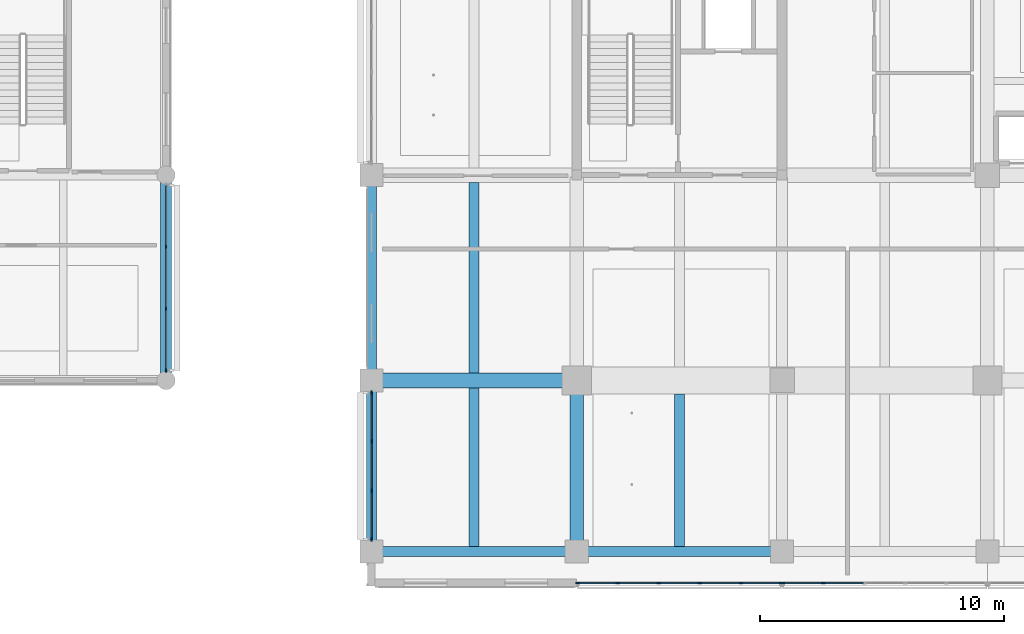
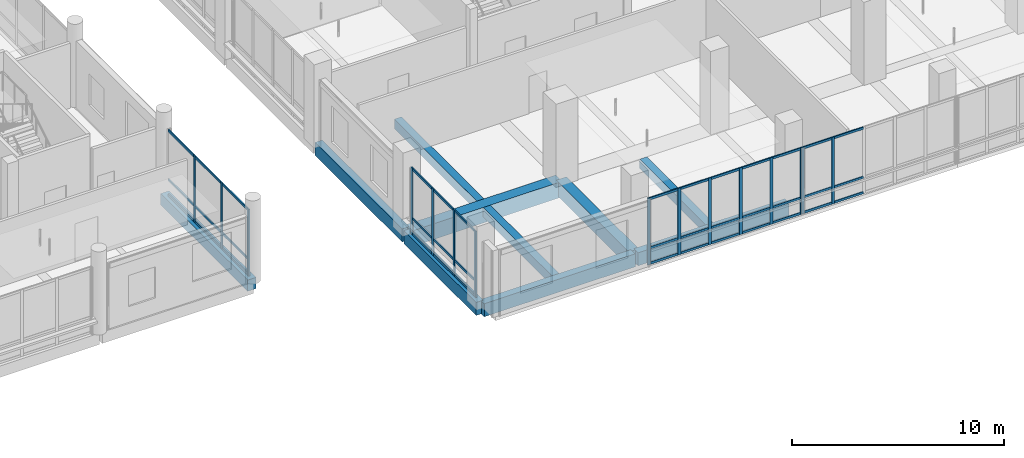
# One storey, part 6 of 122: 54 members, 10 beams, 4 elements without a shape of their own.
"""IFC4 building model written with IfcOpenShell, lengths in metres."""

from ifc_helpers import new_model, si_unit, direction, frame, origin, origin_2d, place, context, subcontext, project, spatial, rectangle, extrude, material, layer, layer_set, material_profile, profile_set, type_object, element, aggregate, save


model = new_model("IFC4")

# Units and contexts
model_context = context("Model", 3, precision=1e-05, world=origin(), true_north=direction((0.0, 1.0)))
body_context = subcontext(model_context, "Body", "Model", "MODEL_VIEW")
ifc_project = project(units=[si_unit("LENGTHUNIT", "METRE"), si_unit("AREAUNIT", "SQUARE_METRE"), si_unit("VOLUMEUNIT", "CUBIC_METRE"), si_unit("PLANEANGLEUNIT", "RADIAN"), si_unit("MASSUNIT", "GRAM", prefix="KILO")], contexts=[model_context])

# Site, building, storey
site_placement = place(None, origin())
site = spatial("IfcSite", under=ifc_project, at=site_placement, CompositionType="ELEMENT")
building_placement = place(site_placement, origin())
building = spatial("IfcBuilding", under=site, at=building_placement, Name="Telukmera Botanical Conservatory", CompositionType="ELEMENT")
storey_placement = place(building_placement, frame((0.0, 0.0, 10.199951171875)))
storey = spatial("IfcBuildingStorey", under=building, at=storey_placement, Name="L02", CompositionType="ELEMENT", Elevation=10.199951171875)

# Beams
ifc_material_1 = material(Name="Concrete C40/50", Category="concrete")
ifc_material_profile_1 = material_profile(ifc_material_1, rectangle(XDim=0.449951171875, YDim=0.64990234375, at=origin_2d()), Name="RC 450x650")
ifc_profile_set_1 = profile_set([ifc_material_profile_1], Name="Concrete C40/50")
beam_type_1 = type_object("IfcBeamType", Name="Beam_B16", PredefinedType="BEAM", material=ifc_profile_set_1)
beam_1_placement = place(storey_placement, frame((42.0, 17.679931640625, -0.324951171875), z_axis=(0.0, 1.0, 0.0), x_axis=(-1.0, 0.0, 0.0)))
element("IfcBeam", 1, at=beam_1_placement, inside=storey, type_object=beam_type_1, Name="Visitor Wing Transverse Beam L02", PredefinedType="BEAM", context=body_context, shape_type="SweptSolid", body=[
    extrude(rectangle(XDim=0.449951171875, YDim=0.64990234375, at=origin_2d()), origin(), (0.0, 0.0, 1.0), 8.239990234375),
])
ifc_material_profile_2 = material_profile(ifc_material_1, rectangle(XDim=0.39990234375, YDim=0.550048828125, at=origin_2d()), Name="RC 400x550")
ifc_profile_set_2 = profile_set([ifc_material_profile_2], Name="Concrete C40/50")
beam_type_2 = type_object("IfcBeamType", Name="Beam_B19", PredefinedType="JOIST", material=ifc_profile_set_2)
beam_2_placement = place(storey_placement, frame((54.60009765625, 10.800048828125, -0.27490234375), z_axis=(0.0, 1.0, 0.0), x_axis=(-1.0, 0.0, 0.0)))
element("IfcBeam", 2, at=beam_2_placement, inside=storey, type_object=beam_type_2, Name="Tower Secondary Floor Joist L02", PredefinedType="JOIST", context=body_context, shape_type="SweptSolid", body=[
    extrude(rectangle(XDim=0.39990234375, YDim=0.550048828125, at=origin_2d()), origin(), (0.0, 0.0, 1.0), 6.5),
])
beam_3_placement = place(storey_placement, frame((54.60009765625, 17.89990234375, -0.27490234375), z_axis=(0.0, 1.0, 0.0), x_axis=(-1.0, 0.0, 0.0)))
element("IfcBeam", 3, at=beam_3_placement, inside=storey, type_object=beam_type_2, Name="Tower Secondary Floor Joist L02", PredefinedType="JOIST", context=body_context, shape_type="SweptSolid", body=[
    extrude(rectangle(XDim=0.39990234375, YDim=0.550048828125, at=origin_2d()), origin(), (0.0, 0.0, 1.0), 7.800048828125),
])
beam_4_placement = place(storey_placement, frame((63.0, 10.800048828125, -0.27490234375), z_axis=(0.0, 1.0, 0.0), x_axis=(-1.0, 0.0, 0.0)))
element("IfcBeam", 4, at=beam_4_placement, inside=storey, type_object=beam_type_2, Name="Tower Secondary Floor Joist L02", PredefinedType="JOIST", context=body_context, shape_type="SweptSolid", body=[
    extrude(rectangle(XDim=0.39990234375, YDim=0.550048828125, at=origin_2d()), origin(), (0.0, 0.0, 1.0), 6.25),
])
ifc_material_profile_3 = material_profile(ifc_material_1, rectangle(XDim=0.60009765625, YDim=0.89990234375, at=origin_2d()), Name="RC 600x900")
ifc_profile_set_3 = profile_set([ifc_material_profile_3], Name="Concrete C40/50")
beam_type_3 = type_object("IfcBeamType", Name="Beam_B3", PredefinedType="BEAM", material=ifc_profile_set_3)
beam_5_placement = place(storey_placement, frame((50.47998046875, 17.60009765625, -0.449951171875), z_axis=(1.0, 0.0, 0.0), x_axis=(0.0, 1.0, 0.0)))
element("IfcBeam", 5, at=beam_5_placement, inside=storey, type_object=beam_type_3, Name="Tower Grid Beam L02", PredefinedType="BEAM", context=body_context, shape_type="SweptSolid", body=[
    extrude(rectangle(XDim=0.60009765625, YDim=0.89990234375, at=origin_2d()), origin(), (0.0, 0.0, 1.0), 8.239990234375),
])
ifc_material_profile_4 = material_profile(ifc_material_1, rectangle(XDim=0.550048828125, YDim=0.85009765625, at=origin_2d()), Name="RC 550x850")
ifc_profile_set_4 = profile_set([ifc_material_profile_4], Name="Concrete C40/50")
beam_type_4 = type_object("IfcBeamType", Name="Beam_B4", PredefinedType="BEAM", material=ifc_profile_set_4)
beam_6_placement = place(storey_placement, frame((58.800048828125, 10.679931640625, -0.425048828125), z_axis=(0.0, 1.0, 0.0), x_axis=(-1.0, 0.0, 0.0)))
element("IfcBeam", 6, at=beam_6_placement, inside=storey, type_object=beam_type_4, Name="Tower Transverse Beam L02", PredefinedType="BEAM", context=body_context, shape_type="SweptSolid", body=[
    extrude(rectangle(XDim=0.550048828125, YDim=0.85009765625, at=origin_2d()), origin(), (0.0, 0.0, 1.0), 6.840087890625),
])
ifc_material_2 = material(Name="Precast concrete C40/50", Category="concrete")
ifc_material_profile_5 = material_profile(ifc_material_2, rectangle(XDim=0.39990234375, YDim=0.75, at=origin_2d()), Name="PC 400x750")
ifc_profile_set_5 = profile_set([ifc_material_profile_5], Name="Precast concrete C40/50")
beam_type_5 = type_object("IfcBeamType", Name="Beam_SP1", PredefinedType="SPANDREL", material=ifc_profile_set_5)
beam_7_placement = place(storey_placement, frame((50.47998046875, 10.60009765625, -0.375), z_axis=(1.0, 0.0, 0.0), x_axis=(0.0, 1.0, 0.0)))
element("IfcBeam", 7, at=beam_7_placement, inside=storey, type_object=beam_type_5, Name="Tower Grid Beam L02", PredefinedType="SPANDREL", context=body_context, shape_type="SweptSolid", body=[
    extrude(rectangle(XDim=0.39990234375, YDim=0.75, at=origin_2d()), origin(), (0.0, 0.0, 1.0), 8.239990234375),
])
beam_8_placement = place(storey_placement, frame((58.8798828125, 10.60009765625, -0.375), z_axis=(1.0, 0.0, 0.0), x_axis=(0.0, 1.0, 0.0)))
element("IfcBeam", 8, at=beam_8_placement, inside=storey, type_object=beam_type_5, Name="Tower Grid Beam L02", PredefinedType="SPANDREL", context=body_context, shape_type="SweptSolid", body=[
    extrude(rectangle(XDim=0.39990234375, YDim=0.75, at=origin_2d()), origin(), (0.0, 0.0, 1.0), 8.240234375),
])
beam_9_placement = place(storey_placement, frame((50.39990234375, 10.679931640625, -0.375), z_axis=(0.0, 1.0, 0.0), x_axis=(-1.0, 0.0, 0.0)))
element("IfcBeam", 9, at=beam_9_placement, inside=storey, type_object=beam_type_5, Name="Tower Transverse Beam L02", PredefinedType="SPANDREL", context=body_context, shape_type="SweptSolid", body=[
    extrude(rectangle(XDim=0.39990234375, YDim=0.75, at=origin_2d()), origin(), (0.0, 0.0, 1.0), 6.840087890625),
])
beam_10_placement = place(storey_placement, frame((50.39990234375, 17.679931640625, -0.375), z_axis=(0.0, 1.0, 0.0), x_axis=(-1.0, 0.0, 0.0)))
element("IfcBeam", 10, at=beam_10_placement, inside=storey, type_object=beam_type_5, Name="Tower Transverse Beam L02", PredefinedType="SPANDREL", context=body_context, shape_type="SweptSolid", body=[
    extrude(rectangle(XDim=0.39990234375, YDim=0.75, at=origin_2d()), origin(), (0.0, 0.0, 1.0), 8.239990234375),
])

# Curtain wall, members
ifc_material_3 = material(Name="Anodised aluminium 6063-T6", Category="aluminium")
ifc_layer_1 = layer(ifc_material_3, 0.179931640625)
ifc_layer_set_1 = layer_set([ifc_layer_1], Name="Anodised aluminium 6063-T6")
curtain_wall_type_1 = type_object("IfcCurtainWallType", Name="Visitor Gallery Second Floor Curtain Wall 2400 Mod", PredefinedType="USERDEFINED", material=ifc_layer_set_1)
curtain_wall_1_placement = place(storey_placement, origin())
curtain_wall_1 = element("IfcCurtainWall", 11, at=curtain_wall_1_placement, inside=storey, type_object=curtain_wall_type_1, Name="Unitised Curtain Wall CW09 V3:L02:E1", ObjectType="UNITISED CURTAIN WALL", PredefinedType="USERDEFINED")
ifc_material_profile_6 = material_profile(ifc_material_3, rectangle(XDim=0.06494140625, YDim=0.159912109375, at=origin_2d()), Name="ALU MULL 65x160")
ifc_profile_set_6 = profile_set([ifc_material_profile_6], Name="Anodised aluminium 6063-T6")
member_type_1 = type_object("IfcMemberType", Name="Curtain Wall Extruded Mullion 65x160", PredefinedType="MULLION", material=ifc_profile_set_6)
member_1_placement = place(storey_placement, frame((42.0, 18.009521484375, 0.0), z_axis=(0.0, 0.0, 1.0), x_axis=(-1.0, 0.0, 0.0)))
member_1 = element("IfcMember", 12, at=member_1_placement, type_object=member_type_1, Name="CW09 mullion 1", PredefinedType="MULLION", context=body_context, shape_type="SweptSolid", body=[
    extrude(rectangle(XDim=0.06494140625, YDim=0.159912109375, at=origin_2d()), origin(), (0.0, 0.0, 1.0), 3.85009765625),
])
member_2_placement = place(storey_placement, frame((42.0, 20.525634765625, 0.0), z_axis=(0.0, 0.0, 1.0), x_axis=(-1.0, 0.0, 0.0)))
member_2 = element("IfcMember", 13, at=member_2_placement, type_object=member_type_1, Name="CW09 mullion 2", PredefinedType="MULLION", context=body_context, shape_type="SweptSolid", body=[
    extrude(rectangle(XDim=0.06494140625, YDim=0.159912109375, at=origin_2d()), origin(), (0.0, 0.0, 1.0), 3.85009765625),
])
member_3_placement = place(storey_placement, frame((42.0, 23.07421875, 0.0), z_axis=(0.0, 0.0, 1.0), x_axis=(-1.0, 0.0, 0.0)))
member_3 = element("IfcMember", 14, at=member_3_placement, type_object=member_type_1, Name="CW09 mullion 3", PredefinedType="MULLION", context=body_context, shape_type="SweptSolid", body=[
    extrude(rectangle(XDim=0.06494140625, YDim=0.159912109375, at=origin_2d()), origin(), (0.0, 0.0, 1.0), 3.85009765625),
])

ifc_layer_2 = layer(ifc_material_3, 0.179931640625)
ifc_layer_set_2 = layer_set([ifc_layer_2], Name="Anodised aluminium 6063-T6")
curtain_wall_type_2 = type_object("IfcCurtainWallType", Name="Tower Reference Library Curtain Wall", PredefinedType="USERDEFINED", material=ifc_layer_set_2)
curtain_wall_2_placement = place(storey_placement, origin())
curtain_wall_2 = element("IfcCurtainWall", 15, at=curtain_wall_2_placement, inside=storey, type_object=curtain_wall_type_2, Name="Unitised Curtain Wall CW13 V4:L02:S2", ObjectType="UNITISED CURTAIN WALL", PredefinedType="USERDEFINED")
member_4_placement = place(storey_placement, frame((58.83447265625, 9.320068359375, 0.0), z_axis=(0.0, 0.0, 1.0), x_axis=(0.0, 1.0, 0.0)))
member_4 = element("IfcMember", 16, at=member_4_placement, type_object=member_type_1, Name="CW13 mullion 1", PredefinedType="MULLION", context=body_context, shape_type="SweptSolid", body=[
    extrude(rectangle(XDim=0.06494140625, YDim=0.159912109375, at=origin_2d()), origin(), (0.0, 0.0, 1.0), 3.85009765625),
])
member_5_placement = place(storey_placement, frame((60.481201171875, 9.320068359375, 0.0), z_axis=(0.0, 0.0, 1.0), x_axis=(0.0, 1.0, 0.0)))
member_5 = element("IfcMember", 17, at=member_5_placement, type_object=member_type_1, Name="CW13 mullion 2", PredefinedType="MULLION", context=body_context, shape_type="SweptSolid", body=[
    extrude(rectangle(XDim=0.06494140625, YDim=0.159912109375, at=origin_2d()), origin(), (0.0, 0.0, 1.0), 3.85009765625),
])
member_6_placement = place(storey_placement, frame((62.160400390625, 9.320068359375, 0.0), z_axis=(0.0, 0.0, 1.0), x_axis=(0.0, 1.0, 0.0)))
member_6 = element("IfcMember", 18, at=member_6_placement, type_object=member_type_1, Name="CW13 mullion 3", PredefinedType="MULLION", context=body_context, shape_type="SweptSolid", body=[
    extrude(rectangle(XDim=0.06494140625, YDim=0.159912109375, at=origin_2d()), origin(), (0.0, 0.0, 1.0), 3.85009765625),
])
member_7_placement = place(storey_placement, frame((63.839599609375, 9.320068359375, 0.0), z_axis=(0.0, 0.0, 1.0), x_axis=(0.0, 1.0, 0.0)))
member_7 = element("IfcMember", 19, at=member_7_placement, type_object=member_type_1, Name="CW13 mullion 4", PredefinedType="MULLION", context=body_context, shape_type="SweptSolid", body=[
    extrude(rectangle(XDim=0.06494140625, YDim=0.159912109375, at=origin_2d()), origin(), (0.0, 0.0, 1.0), 3.85009765625),
])
member_8_placement = place(storey_placement, frame((65.518798828125, 9.320068359375, 0.0), z_axis=(0.0, 0.0, 1.0), x_axis=(0.0, 1.0, 0.0)))
member_8 = element("IfcMember", 20, at=member_8_placement, type_object=member_type_1, Name="CW13 mullion 5", PredefinedType="MULLION", context=body_context, shape_type="SweptSolid", body=[
    extrude(rectangle(XDim=0.06494140625, YDim=0.159912109375, at=origin_2d()), origin(), (0.0, 0.0, 1.0), 3.85009765625),
])
member_9_placement = place(storey_placement, frame((67.16552734375, 9.320068359375, 0.0), z_axis=(0.0, 0.0, 1.0), x_axis=(0.0, 1.0, 0.0)))
member_9 = element("IfcMember", 21, at=member_9_placement, type_object=member_type_1, Name="CW13 mullion 6", PredefinedType="MULLION", context=body_context, shape_type="SweptSolid", body=[
    extrude(rectangle(XDim=0.06494140625, YDim=0.159912109375, at=origin_2d()), origin(), (0.0, 0.0, 1.0), 3.85009765625),
])

curtain_wall_3_placement = place(storey_placement, origin())
curtain_wall_3 = element("IfcCurtainWall", 22, at=curtain_wall_3_placement, inside=storey, type_object=curtain_wall_type_2, Name="Unitised Curtain Wall CW13 V4:L02:S3", ObjectType="UNITISED CURTAIN WALL", PredefinedType="USERDEFINED")
member_10_placement = place(storey_placement, frame((67.234619140625, 9.320068359375, 0.0), z_axis=(0.0, 0.0, 1.0), x_axis=(0.0, 1.0, 0.0)))
member_10 = element("IfcMember", 23, at=member_10_placement, type_object=member_type_1, Name="CW13 mullion 1", PredefinedType="MULLION", context=body_context, shape_type="SweptSolid", body=[
    extrude(rectangle(XDim=0.06494140625, YDim=0.159912109375, at=origin_2d()), origin(), (0.0, 0.0, 1.0), 3.85009765625),
])
member_11_placement = place(storey_placement, frame((68.881103515625, 9.320068359375, 0.0), z_axis=(0.0, 0.0, 1.0), x_axis=(0.0, 1.0, 0.0)))
member_11 = element("IfcMember", 24, at=member_11_placement, type_object=member_type_1, Name="CW13 mullion 2", PredefinedType="MULLION", context=body_context, shape_type="SweptSolid", body=[
    extrude(rectangle(XDim=0.06494140625, YDim=0.159912109375, at=origin_2d()), origin(), (0.0, 0.0, 1.0), 3.85009765625),
])

curtain_wall_4_placement = place(storey_placement, origin())
curtain_wall_4 = element("IfcCurtainWall", 25, at=curtain_wall_4_placement, inside=storey, type_object=curtain_wall_type_2, Name="Unitised Curtain Wall CW13 V4:L02:W1", ObjectType="UNITISED CURTAIN WALL", PredefinedType="USERDEFINED")
member_12_placement = place(storey_placement, frame((50.39990234375, 11.109619140625, 0.0), z_axis=(0.0, 0.0, 1.0), x_axis=(-1.0, 0.0, 0.0)))
member_12 = element("IfcMember", 26, at=member_12_placement, type_object=member_type_1, Name="CW13 mullion 1", PredefinedType="MULLION", context=body_context, shape_type="SweptSolid", body=[
    extrude(rectangle(XDim=0.06494140625, YDim=0.159912109375, at=origin_2d()), origin(), (0.0, 0.0, 1.0), 3.85009765625),
])
member_13_placement = place(storey_placement, frame((50.39990234375, 13.09228515625, 0.0), z_axis=(0.0, 0.0, 1.0), x_axis=(-1.0, 0.0, 0.0)))
member_13 = element("IfcMember", 27, at=member_13_placement, type_object=member_type_1, Name="CW13 mullion 2", PredefinedType="MULLION", context=body_context, shape_type="SweptSolid", body=[
    extrude(rectangle(XDim=0.06494140625, YDim=0.159912109375, at=origin_2d()), origin(), (0.0, 0.0, 1.0), 3.85009765625),
])
member_14_placement = place(storey_placement, frame((50.39990234375, 15.107666015625, 0.0), z_axis=(0.0, 0.0, 1.0), x_axis=(-1.0, 0.0, 0.0)))
member_14 = element("IfcMember", 28, at=member_14_placement, type_object=member_type_1, Name="CW13 mullion 3", PredefinedType="MULLION", context=body_context, shape_type="SweptSolid", body=[
    extrude(rectangle(XDim=0.06494140625, YDim=0.159912109375, at=origin_2d()), origin(), (0.0, 0.0, 1.0), 3.85009765625),
])
member_15_placement = place(storey_placement, frame((50.39990234375, 17.090576171875, 0.0), z_axis=(0.0, 0.0, 1.0), x_axis=(-1.0, 0.0, 0.0)))
member_15 = element("IfcMember", 29, at=member_15_placement, type_object=member_type_1, Name="CW13 mullion 4", PredefinedType="MULLION", context=body_context, shape_type="SweptSolid", body=[
    extrude(rectangle(XDim=0.06494140625, YDim=0.159912109375, at=origin_2d()), origin(), (0.0, 0.0, 1.0), 3.85009765625),
])

# Member
ifc_material_profile_7 = material_profile(ifc_material_3, rectangle(XDim=0.06494140625, YDim=0.1298828125, at=origin_2d()), Name="ALU TRAN 65x130")
ifc_profile_set_7 = profile_set([ifc_material_profile_7], Name="Anodised aluminium 6063-T6")
member_type_2 = type_object("IfcMemberType", Name="Curtain Wall Extruded Transom 65x130", PredefinedType="USERDEFINED", material=ifc_profile_set_7)
member_16_placement = place(storey_placement, frame((42.0, 18.0419921875, 0.06494140625), z_axis=(0.0, 1.0, 0.0), x_axis=(-1.0, 0.0, 0.0)))
member_16 = element("IfcMember", 30, at=member_16_placement, type_object=member_type_2, Name="CW09 transom 1.1", ObjectType="TRANSOM", PredefinedType="USERDEFINED", context=body_context, shape_type="SweptSolid", body=[
    extrude(rectangle(XDim=0.06494140625, YDim=0.1298828125, at=origin_2d()), origin(), (0.0, 0.0, 1.0), 2.451171875),
])

member_17_placement = place(storey_placement, frame((42.0, 18.0419921875, 0.949951171875), z_axis=(0.0, 1.0, 0.0), x_axis=(-1.0, 0.0, 0.0)))
member_17 = element("IfcMember", 31, at=member_17_placement, type_object=member_type_2, Name="CW09 transom 1.2", ObjectType="TRANSOM", PredefinedType="USERDEFINED", context=body_context, shape_type="SweptSolid", body=[
    extrude(rectangle(XDim=0.06494140625, YDim=0.1298828125, at=origin_2d()), origin(), (0.0, 0.0, 1.0), 2.451171875),
])

member_18_placement = place(storey_placement, frame((42.0, 18.0419921875, 3.78515625), z_axis=(0.0, 1.0, 0.0), x_axis=(-1.0, 0.0, 0.0)))
member_18 = element("IfcMember", 32, at=member_18_placement, type_object=member_type_2, Name="CW09 transom 1.3", ObjectType="TRANSOM", PredefinedType="USERDEFINED", context=body_context, shape_type="SweptSolid", body=[
    extrude(rectangle(XDim=0.06494140625, YDim=0.1298828125, at=origin_2d()), origin(), (0.0, 0.0, 1.0), 2.451171875),
])

member_19_placement = place(storey_placement, frame((42.0, 20.55810546875, 0.06494140625), z_axis=(0.0, 1.0, 0.0), x_axis=(-1.0, 0.0, 0.0)))
member_19 = element("IfcMember", 33, at=member_19_placement, type_object=member_type_2, Name="CW09 transom 2.1", ObjectType="TRANSOM", PredefinedType="USERDEFINED", context=body_context, shape_type="SweptSolid", body=[
    extrude(rectangle(XDim=0.06494140625, YDim=0.1298828125, at=origin_2d()), origin(), (0.0, 0.0, 1.0), 2.483642578125),
])

member_20_placement = place(storey_placement, frame((42.0, 20.55810546875, 0.949951171875), z_axis=(0.0, 1.0, 0.0), x_axis=(-1.0, 0.0, 0.0)))
member_20 = element("IfcMember", 34, at=member_20_placement, type_object=member_type_2, Name="CW09 transom 2.2", ObjectType="TRANSOM", PredefinedType="USERDEFINED", context=body_context, shape_type="SweptSolid", body=[
    extrude(rectangle(XDim=0.06494140625, YDim=0.1298828125, at=origin_2d()), origin(), (0.0, 0.0, 1.0), 2.483642578125),
])

member_21_placement = place(storey_placement, frame((42.0, 20.55810546875, 3.78515625), z_axis=(0.0, 1.0, 0.0), x_axis=(-1.0, 0.0, 0.0)))
member_21 = element("IfcMember", 35, at=member_21_placement, type_object=member_type_2, Name="CW09 transom 2.3", ObjectType="TRANSOM", PredefinedType="USERDEFINED", context=body_context, shape_type="SweptSolid", body=[
    extrude(rectangle(XDim=0.06494140625, YDim=0.1298828125, at=origin_2d()), origin(), (0.0, 0.0, 1.0), 2.483642578125),
])

member_22_placement = place(storey_placement, frame((42.0, 23.10693359375, 0.06494140625), z_axis=(0.0, 1.0, 0.0), x_axis=(-1.0, 0.0, 0.0)))
member_22 = element("IfcMember", 36, at=member_22_placement, type_object=member_type_2, Name="CW09 transom 3.1", ObjectType="TRANSOM", PredefinedType="USERDEFINED", context=body_context, shape_type="SweptSolid", body=[
    extrude(rectangle(XDim=0.06494140625, YDim=0.1298828125, at=origin_2d()), origin(), (0.0, 0.0, 1.0), 2.451171875),
])

member_23_placement = place(storey_placement, frame((42.0, 23.10693359375, 0.949951171875), z_axis=(0.0, 1.0, 0.0), x_axis=(-1.0, 0.0, 0.0)))
member_23 = element("IfcMember", 37, at=member_23_placement, type_object=member_type_2, Name="CW09 transom 3.2", ObjectType="TRANSOM", PredefinedType="USERDEFINED", context=body_context, shape_type="SweptSolid", body=[
    extrude(rectangle(XDim=0.06494140625, YDim=0.1298828125, at=origin_2d()), origin(), (0.0, 0.0, 1.0), 2.451171875),
])

member_24_placement = place(storey_placement, frame((42.0, 23.10693359375, 3.78515625), z_axis=(0.0, 1.0, 0.0), x_axis=(-1.0, 0.0, 0.0)))
member_24 = element("IfcMember", 38, at=member_24_placement, type_object=member_type_2, Name="CW09 transom 3.3", ObjectType="TRANSOM", PredefinedType="USERDEFINED", context=body_context, shape_type="SweptSolid", body=[
    extrude(rectangle(XDim=0.06494140625, YDim=0.1298828125, at=origin_2d()), origin(), (0.0, 0.0, 1.0), 2.451171875),
])

aggregate(curtain_wall_1, [member_1, member_2, member_3, member_16, member_17, member_18, member_19, member_20, member_21, member_22, member_23, member_24])

member_25_placement = place(storey_placement, frame((58.866943359375, 9.320068359375, 0.06494140625), z_axis=(1.0, 0.0, 0.0), x_axis=(0.0, 1.0, 0.0)))
member_25 = element("IfcMember", 39, at=member_25_placement, type_object=member_type_2, Name="CW13 transom 1.1", ObjectType="TRANSOM", PredefinedType="USERDEFINED", context=body_context, shape_type="SweptSolid", body=[
    extrude(rectangle(XDim=0.06494140625, YDim=0.1298828125, at=origin_2d()), origin(), (0.0, 0.0, 1.0), 1.581787109375),
])

member_26_placement = place(storey_placement, frame((58.866943359375, 9.320068359375, 0.949951171875), z_axis=(1.0, 0.0, 0.0), x_axis=(0.0, 1.0, 0.0)))
member_26 = element("IfcMember", 40, at=member_26_placement, type_object=member_type_2, Name="CW13 transom 1.2", ObjectType="TRANSOM", PredefinedType="USERDEFINED", context=body_context, shape_type="SweptSolid", body=[
    extrude(rectangle(XDim=0.06494140625, YDim=0.1298828125, at=origin_2d()), origin(), (0.0, 0.0, 1.0), 1.581787109375),
])

member_27_placement = place(storey_placement, frame((58.866943359375, 9.320068359375, 3.78515625), z_axis=(1.0, 0.0, 0.0), x_axis=(0.0, 1.0, 0.0)))
member_27 = element("IfcMember", 41, at=member_27_placement, type_object=member_type_2, Name="CW13 transom 1.3", ObjectType="TRANSOM", PredefinedType="USERDEFINED", context=body_context, shape_type="SweptSolid", body=[
    extrude(rectangle(XDim=0.06494140625, YDim=0.1298828125, at=origin_2d()), origin(), (0.0, 0.0, 1.0), 1.581787109375),
])

member_28_placement = place(storey_placement, frame((60.513671875, 9.320068359375, 0.06494140625), z_axis=(1.0, 0.0, 0.0), x_axis=(0.0, 1.0, 0.0)))
member_28 = element("IfcMember", 42, at=member_28_placement, type_object=member_type_2, Name="CW13 transom 2.1", ObjectType="TRANSOM", PredefinedType="USERDEFINED", context=body_context, shape_type="SweptSolid", body=[
    extrude(rectangle(XDim=0.06494140625, YDim=0.1298828125, at=origin_2d()), origin(), (0.0, 0.0, 1.0), 1.6142578125),
])

member_29_placement = place(storey_placement, frame((60.513671875, 9.320068359375, 0.949951171875), z_axis=(1.0, 0.0, 0.0), x_axis=(0.0, 1.0, 0.0)))
member_29 = element("IfcMember", 43, at=member_29_placement, type_object=member_type_2, Name="CW13 transom 2.2", ObjectType="TRANSOM", PredefinedType="USERDEFINED", context=body_context, shape_type="SweptSolid", body=[
    extrude(rectangle(XDim=0.06494140625, YDim=0.1298828125, at=origin_2d()), origin(), (0.0, 0.0, 1.0), 1.6142578125),
])

member_30_placement = place(storey_placement, frame((60.513671875, 9.320068359375, 3.78515625), z_axis=(1.0, 0.0, 0.0), x_axis=(0.0, 1.0, 0.0)))
member_30 = element("IfcMember", 44, at=member_30_placement, type_object=member_type_2, Name="CW13 transom 2.3", ObjectType="TRANSOM", PredefinedType="USERDEFINED", context=body_context, shape_type="SweptSolid", body=[
    extrude(rectangle(XDim=0.06494140625, YDim=0.1298828125, at=origin_2d()), origin(), (0.0, 0.0, 1.0), 1.6142578125),
])

member_31_placement = place(storey_placement, frame((62.19287109375, 9.320068359375, 0.06494140625), z_axis=(1.0, 0.0, 0.0), x_axis=(0.0, 1.0, 0.0)))
member_31 = element("IfcMember", 45, at=member_31_placement, type_object=member_type_2, Name="CW13 transom 3.1", ObjectType="TRANSOM", PredefinedType="USERDEFINED", context=body_context, shape_type="SweptSolid", body=[
    extrude(rectangle(XDim=0.06494140625, YDim=0.1298828125, at=origin_2d()), origin(), (0.0, 0.0, 1.0), 1.6142578125),
])

member_32_placement = place(storey_placement, frame((62.19287109375, 9.320068359375, 0.949951171875), z_axis=(1.0, 0.0, 0.0), x_axis=(0.0, 1.0, 0.0)))
member_32 = element("IfcMember", 46, at=member_32_placement, type_object=member_type_2, Name="CW13 transom 3.2", ObjectType="TRANSOM", PredefinedType="USERDEFINED", context=body_context, shape_type="SweptSolid", body=[
    extrude(rectangle(XDim=0.06494140625, YDim=0.1298828125, at=origin_2d()), origin(), (0.0, 0.0, 1.0), 1.6142578125),
])

member_33_placement = place(storey_placement, frame((62.19287109375, 9.320068359375, 3.78515625), z_axis=(1.0, 0.0, 0.0), x_axis=(0.0, 1.0, 0.0)))
member_33 = element("IfcMember", 47, at=member_33_placement, type_object=member_type_2, Name="CW13 transom 3.3", ObjectType="TRANSOM", PredefinedType="USERDEFINED", context=body_context, shape_type="SweptSolid", body=[
    extrude(rectangle(XDim=0.06494140625, YDim=0.1298828125, at=origin_2d()), origin(), (0.0, 0.0, 1.0), 1.6142578125),
])

member_34_placement = place(storey_placement, frame((63.8720703125, 9.320068359375, 0.06494140625), z_axis=(1.0, 0.0, 0.0), x_axis=(0.0, 1.0, 0.0)))
member_34 = element("IfcMember", 48, at=member_34_placement, type_object=member_type_2, Name="CW13 transom 4.1", ObjectType="TRANSOM", PredefinedType="USERDEFINED", context=body_context, shape_type="SweptSolid", body=[
    extrude(rectangle(XDim=0.06494140625, YDim=0.1298828125, at=origin_2d()), origin(), (0.0, 0.0, 1.0), 1.6142578125),
])

member_35_placement = place(storey_placement, frame((63.8720703125, 9.320068359375, 0.949951171875), z_axis=(1.0, 0.0, 0.0), x_axis=(0.0, 1.0, 0.0)))
member_35 = element("IfcMember", 49, at=member_35_placement, type_object=member_type_2, Name="CW13 transom 4.2", ObjectType="TRANSOM", PredefinedType="USERDEFINED", context=body_context, shape_type="SweptSolid", body=[
    extrude(rectangle(XDim=0.06494140625, YDim=0.1298828125, at=origin_2d()), origin(), (0.0, 0.0, 1.0), 1.6142578125),
])

member_36_placement = place(storey_placement, frame((63.8720703125, 9.320068359375, 3.78515625), z_axis=(1.0, 0.0, 0.0), x_axis=(0.0, 1.0, 0.0)))
member_36 = element("IfcMember", 50, at=member_36_placement, type_object=member_type_2, Name="CW13 transom 4.3", ObjectType="TRANSOM", PredefinedType="USERDEFINED", context=body_context, shape_type="SweptSolid", body=[
    extrude(rectangle(XDim=0.06494140625, YDim=0.1298828125, at=origin_2d()), origin(), (0.0, 0.0, 1.0), 1.6142578125),
])

member_37_placement = place(storey_placement, frame((65.55126953125, 9.320068359375, 0.06494140625), z_axis=(1.0, 0.0, 0.0), x_axis=(0.0, 1.0, 0.0)))
member_37 = element("IfcMember", 51, at=member_37_placement, type_object=member_type_2, Name="CW13 transom 5.1", ObjectType="TRANSOM", PredefinedType="USERDEFINED", context=body_context, shape_type="SweptSolid", body=[
    extrude(rectangle(XDim=0.06494140625, YDim=0.1298828125, at=origin_2d()), origin(), (0.0, 0.0, 1.0), 1.581787109375),
])

member_38_placement = place(storey_placement, frame((65.55126953125, 9.320068359375, 0.949951171875), z_axis=(1.0, 0.0, 0.0), x_axis=(0.0, 1.0, 0.0)))
member_38 = element("IfcMember", 52, at=member_38_placement, type_object=member_type_2, Name="CW13 transom 5.2", ObjectType="TRANSOM", PredefinedType="USERDEFINED", context=body_context, shape_type="SweptSolid", body=[
    extrude(rectangle(XDim=0.06494140625, YDim=0.1298828125, at=origin_2d()), origin(), (0.0, 0.0, 1.0), 1.581787109375),
])

member_39_placement = place(storey_placement, frame((65.55126953125, 9.320068359375, 3.78515625), z_axis=(1.0, 0.0, 0.0), x_axis=(0.0, 1.0, 0.0)))
member_39 = element("IfcMember", 53, at=member_39_placement, type_object=member_type_2, Name="CW13 transom 5.3", ObjectType="TRANSOM", PredefinedType="USERDEFINED", context=body_context, shape_type="SweptSolid", body=[
    extrude(rectangle(XDim=0.06494140625, YDim=0.1298828125, at=origin_2d()), origin(), (0.0, 0.0, 1.0), 1.581787109375),
])

aggregate(curtain_wall_2, [member_4, member_5, member_6, member_7, member_8, member_9, member_25, member_26, member_27, member_28, member_29, member_30, member_31, member_32, member_33, member_34, member_35, member_36, member_37, member_38, member_39])

member_40_placement = place(storey_placement, frame((67.26708984375, 9.320068359375, 0.06494140625), z_axis=(1.0, 0.0, 0.0), x_axis=(0.0, 1.0, 0.0)))
member_40 = element("IfcMember", 54, at=member_40_placement, type_object=member_type_2, Name="CW13 transom 1.1", ObjectType="TRANSOM", PredefinedType="USERDEFINED", context=body_context, shape_type="SweptSolid", body=[
    extrude(rectangle(XDim=0.06494140625, YDim=0.1298828125, at=origin_2d()), origin(), (0.0, 0.0, 1.0), 1.58154296875),
])

member_41_placement = place(storey_placement, frame((67.26708984375, 9.320068359375, 0.949951171875), z_axis=(1.0, 0.0, 0.0), x_axis=(0.0, 1.0, 0.0)))
member_41 = element("IfcMember", 55, at=member_41_placement, type_object=member_type_2, Name="CW13 transom 1.2", ObjectType="TRANSOM", PredefinedType="USERDEFINED", context=body_context, shape_type="SweptSolid", body=[
    extrude(rectangle(XDim=0.06494140625, YDim=0.1298828125, at=origin_2d()), origin(), (0.0, 0.0, 1.0), 1.58154296875),
])

member_42_placement = place(storey_placement, frame((67.26708984375, 9.320068359375, 3.78515625), z_axis=(1.0, 0.0, 0.0), x_axis=(0.0, 1.0, 0.0)))
member_42 = element("IfcMember", 56, at=member_42_placement, type_object=member_type_2, Name="CW13 transom 1.3", ObjectType="TRANSOM", PredefinedType="USERDEFINED", context=body_context, shape_type="SweptSolid", body=[
    extrude(rectangle(XDim=0.06494140625, YDim=0.1298828125, at=origin_2d()), origin(), (0.0, 0.0, 1.0), 1.58154296875),
])

member_43_placement = place(storey_placement, frame((68.913818359375, 9.320068359375, 0.06494140625), z_axis=(1.0, 0.0, 0.0), x_axis=(0.0, 1.0, 0.0)))
member_43 = element("IfcMember", 57, at=member_43_placement, type_object=member_type_2, Name="CW13 transom 2.1", ObjectType="TRANSOM", PredefinedType="USERDEFINED", context=body_context, shape_type="SweptSolid", body=[
    extrude(rectangle(XDim=0.06494140625, YDim=0.1298828125, at=origin_2d()), origin(), (0.0, 0.0, 1.0), 1.614013671875),
])

member_44_placement = place(storey_placement, frame((68.913818359375, 9.320068359375, 0.949951171875), z_axis=(1.0, 0.0, 0.0), x_axis=(0.0, 1.0, 0.0)))
member_44 = element("IfcMember", 58, at=member_44_placement, type_object=member_type_2, Name="CW13 transom 2.2", ObjectType="TRANSOM", PredefinedType="USERDEFINED", context=body_context, shape_type="SweptSolid", body=[
    extrude(rectangle(XDim=0.06494140625, YDim=0.1298828125, at=origin_2d()), origin(), (0.0, 0.0, 1.0), 1.614013671875),
])

member_45_placement = place(storey_placement, frame((68.913818359375, 9.320068359375, 3.78515625), z_axis=(1.0, 0.0, 0.0), x_axis=(0.0, 1.0, 0.0)))
member_45 = element("IfcMember", 59, at=member_45_placement, type_object=member_type_2, Name="CW13 transom 2.3", ObjectType="TRANSOM", PredefinedType="USERDEFINED", context=body_context, shape_type="SweptSolid", body=[
    extrude(rectangle(XDim=0.06494140625, YDim=0.1298828125, at=origin_2d()), origin(), (0.0, 0.0, 1.0), 1.614013671875),
])

aggregate(curtain_wall_3, [member_10, member_11, member_40, member_41, member_42, member_43, member_44, member_45])

member_46_placement = place(storey_placement, frame((50.39990234375, 11.14208984375, 0.06494140625), z_axis=(0.0, 1.0, 0.0), x_axis=(-1.0, 0.0, 0.0)))
member_46 = element("IfcMember", 60, at=member_46_placement, type_object=member_type_2, Name="CW13 transom 1.1", ObjectType="TRANSOM", PredefinedType="USERDEFINED", context=body_context, shape_type="SweptSolid", body=[
    extrude(rectangle(XDim=0.06494140625, YDim=0.1298828125, at=origin_2d()), origin(), (0.0, 0.0, 1.0), 1.917724609375),
])

member_47_placement = place(storey_placement, frame((50.39990234375, 11.14208984375, 0.949951171875), z_axis=(0.0, 1.0, 0.0), x_axis=(-1.0, 0.0, 0.0)))
member_47 = element("IfcMember", 61, at=member_47_placement, type_object=member_type_2, Name="CW13 transom 1.2", ObjectType="TRANSOM", PredefinedType="USERDEFINED", context=body_context, shape_type="SweptSolid", body=[
    extrude(rectangle(XDim=0.06494140625, YDim=0.1298828125, at=origin_2d()), origin(), (0.0, 0.0, 1.0), 1.917724609375),
])

member_48_placement = place(storey_placement, frame((50.39990234375, 11.14208984375, 3.78515625), z_axis=(0.0, 1.0, 0.0), x_axis=(-1.0, 0.0, 0.0)))
member_48 = element("IfcMember", 62, at=member_48_placement, type_object=member_type_2, Name="CW13 transom 1.3", ObjectType="TRANSOM", PredefinedType="USERDEFINED", context=body_context, shape_type="SweptSolid", body=[
    extrude(rectangle(XDim=0.06494140625, YDim=0.1298828125, at=origin_2d()), origin(), (0.0, 0.0, 1.0), 1.917724609375),
])

member_49_placement = place(storey_placement, frame((50.39990234375, 13.124755859375, 0.06494140625), z_axis=(0.0, 1.0, 0.0), x_axis=(-1.0, 0.0, 0.0)))
member_49 = element("IfcMember", 63, at=member_49_placement, type_object=member_type_2, Name="CW13 transom 2.1", ObjectType="TRANSOM", PredefinedType="USERDEFINED", context=body_context, shape_type="SweptSolid", body=[
    extrude(rectangle(XDim=0.06494140625, YDim=0.1298828125, at=origin_2d()), origin(), (0.0, 0.0, 1.0), 1.950439453125),
])

member_50_placement = place(storey_placement, frame((50.39990234375, 13.124755859375, 0.949951171875), z_axis=(0.0, 1.0, 0.0), x_axis=(-1.0, 0.0, 0.0)))
member_50 = element("IfcMember", 64, at=member_50_placement, type_object=member_type_2, Name="CW13 transom 2.2", ObjectType="TRANSOM", PredefinedType="USERDEFINED", context=body_context, shape_type="SweptSolid", body=[
    extrude(rectangle(XDim=0.06494140625, YDim=0.1298828125, at=origin_2d()), origin(), (0.0, 0.0, 1.0), 1.950439453125),
])

member_51_placement = place(storey_placement, frame((50.39990234375, 13.124755859375, 3.78515625), z_axis=(0.0, 1.0, 0.0), x_axis=(-1.0, 0.0, 0.0)))
member_51 = element("IfcMember", 65, at=member_51_placement, type_object=member_type_2, Name="CW13 transom 2.3", ObjectType="TRANSOM", PredefinedType="USERDEFINED", context=body_context, shape_type="SweptSolid", body=[
    extrude(rectangle(XDim=0.06494140625, YDim=0.1298828125, at=origin_2d()), origin(), (0.0, 0.0, 1.0), 1.950439453125),
])

member_52_placement = place(storey_placement, frame((50.39990234375, 15.14013671875, 0.06494140625), z_axis=(0.0, 1.0, 0.0), x_axis=(-1.0, 0.0, 0.0)))
member_52 = element("IfcMember", 66, at=member_52_placement, type_object=member_type_2, Name="CW13 transom 3.1", ObjectType="TRANSOM", PredefinedType="USERDEFINED", context=body_context, shape_type="SweptSolid", body=[
    extrude(rectangle(XDim=0.06494140625, YDim=0.1298828125, at=origin_2d()), origin(), (0.0, 0.0, 1.0), 1.91796875),
])

member_53_placement = place(storey_placement, frame((50.39990234375, 15.14013671875, 0.949951171875), z_axis=(0.0, 1.0, 0.0), x_axis=(-1.0, 0.0, 0.0)))
member_53 = element("IfcMember", 67, at=member_53_placement, type_object=member_type_2, Name="CW13 transom 3.2", ObjectType="TRANSOM", PredefinedType="USERDEFINED", context=body_context, shape_type="SweptSolid", body=[
    extrude(rectangle(XDim=0.06494140625, YDim=0.1298828125, at=origin_2d()), origin(), (0.0, 0.0, 1.0), 1.91796875),
])

member_54_placement = place(storey_placement, frame((50.39990234375, 15.14013671875, 3.78515625), z_axis=(0.0, 1.0, 0.0), x_axis=(-1.0, 0.0, 0.0)))
member_54 = element("IfcMember", 68, at=member_54_placement, type_object=member_type_2, Name="CW13 transom 3.3", ObjectType="TRANSOM", PredefinedType="USERDEFINED", context=body_context, shape_type="SweptSolid", body=[
    extrude(rectangle(XDim=0.06494140625, YDim=0.1298828125, at=origin_2d()), origin(), (0.0, 0.0, 1.0), 1.91796875),
])

aggregate(curtain_wall_4, [member_12, member_13, member_14, member_15, member_46, member_47, member_48, member_49, member_50, member_51, member_52, member_53, member_54])

save(model, "model.ifc")
